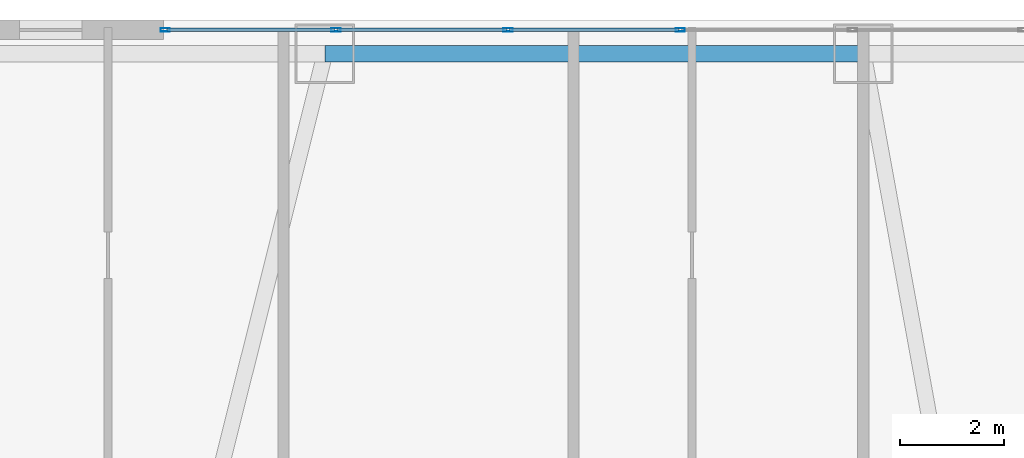
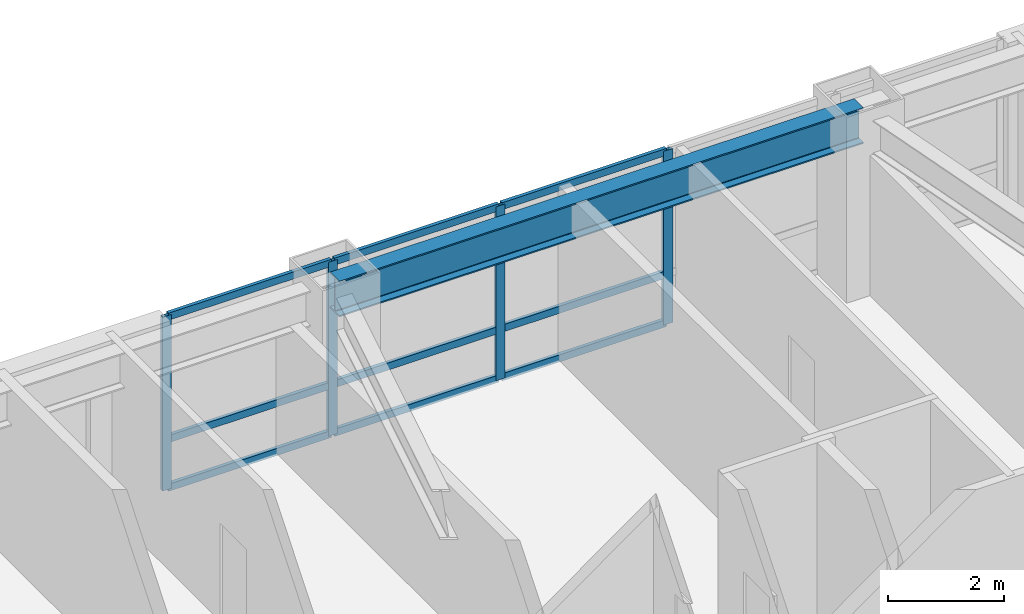
# One storey, part 16 of 28: 13 members, 1 beam, 1 element without a shape of its own.
"""IFC4 building model written with IfcOpenShell, lengths in metres."""

from ifc_helpers import new_model, si_unit, direction, frame, origin, origin_2d, place, context, subcontext, project, spatial, hollow_rectangle, i_section, extrude, material, layer, layer_set, material_profile, profile_set, type_object, element, aggregate, save


model = new_model("IFC4")

# Units and contexts
model_context = context("Model", 3, precision=1e-05, world=origin(), true_north=direction((0.0, 1.0)))
body_context = subcontext(model_context, "Body", "Model", "MODEL_VIEW")
ifc_project = project(units=[si_unit("LENGTHUNIT", "METRE"), si_unit("AREAUNIT", "SQUARE_METRE"), si_unit("VOLUMEUNIT", "CUBIC_METRE"), si_unit("PLANEANGLEUNIT", "RADIAN"), si_unit("MASSUNIT", "GRAM", prefix="KILO")], contexts=[model_context])

# Site, building, storey
site_placement = place(None, origin())
site = spatial("IfcSite", under=ifc_project, at=site_placement, CompositionType="ELEMENT")
building_placement = place(site_placement, origin())
building = spatial("IfcBuilding", under=site, at=building_placement, Name="Voryun Gate Residences", CompositionType="ELEMENT")
storey_placement = place(building_placement, frame((0.0, 0.0, 61.10009765625)))
storey = spatial("IfcBuildingStorey", under=building, at=storey_placement, Name="L14", CompositionType="ELEMENT", Elevation=61.10009765625)

# Beam
ifc_material_1 = material(Name="Steel SM355", Category="steel")
ifc_material_profile_1 = material_profile(ifc_material_1, i_section(OverallWidth=0.320068359375, OverallDepth=0.75, WebThickness=0.01611328125, FlangeThickness=0.028076171875, FilletRadius=0.01806640625, at=origin_2d()), Name="H-750x320x16x28")
ifc_profile_set_1 = profile_set([ifc_material_profile_1], Name="Steel SM355")
beam_type = type_object("IfcBeamType", Name="BM_EXO_SPANDREL_L", PredefinedType="SPANDREL", material=ifc_profile_set_1)
beam_placement = place(storey_placement, frame((1.60009765625, 21.75, 3.27490234375), z_axis=(-1.0, 0.0, 0.0), x_axis=(0.0, -1.0, 0.0)))
element("IfcBeam", 1, at=beam_placement, inside=storey, type_object=beam_type, Name="BM-L14-SPAND-13", PredefinedType="SPANDREL", context=body_context, shape_type="SweptSolid", body=[
    extrude(i_section(OverallWidth=0.320068359375, OverallDepth=0.75, WebThickness=0.01611328125, FlangeThickness=0.028076171875, FilletRadius=0.01806640625, at=origin_2d()), origin(), (0.0, 0.0, 1.0), 10.400146484375),
])

# Curtain wall, members
ifc_material_2 = material(Name="Anodised aluminium", Category="aluminium")
ifc_layer = layer(ifc_material_2, 0.179931640625, Name="CW_SYS_RES_A_DARK_GLASS")
ifc_layer_set = layer_set([ifc_layer], Name="Anodised aluminium")
curtain_wall_type = type_object("IfcCurtainWallType", Name="CW_SYS_RES_A_DARK_GLASS", PredefinedType="NOTDEFINED", material=ifc_layer_set)
curtain_wall_placement = place(storey_placement, origin())
curtain_wall = element("IfcCurtainWall", 2, at=curtain_wall_placement, inside=storey, type_object=curtain_wall_type, Name="Curtain wall CWT-L14-11", PredefinedType="NOTDEFINED")
ifc_material_3 = material(Name="Anodised aluminium", Category="aluminium")
ifc_material_profile_2 = material_profile(ifc_material_3, hollow_rectangle(XDim=0.070068359375, YDim=0.179931640625, WallThickness=0.00390625, at=origin_2d()), Name="ALU-MULL-180x70x4")
ifc_profile_set_2 = profile_set([ifc_material_profile_2], Name="Anodised aluminium")
member_type_1 = type_object("IfcMemberType", Name="CW_MULL_RES", PredefinedType="MULLION", material=ifc_profile_set_2)
member_1_placement = place(storey_placement, frame((-11.884033203125, 22.2099609375, 0.0), z_axis=(0.0, 0.0, 1.0), x_axis=(0.0, 1.0, 0.0)))
member_1 = element("IfcMember", 3, at=member_1_placement, type_object=member_type_1, Name="CW3 mullion 1", PredefinedType="MULLION", context=body_context, shape_type="SweptSolid", body=[
    extrude(hollow_rectangle(XDim=0.070068359375, YDim=0.179931640625, WallThickness=0.00390625, at=origin_2d()), origin(), (0.0, 0.0, 1.0), 3.64990234375),
])
member_2_placement = place(storey_placement, frame((-8.58837890625, 22.2099609375, 0.0), z_axis=(0.0, 0.0, 1.0), x_axis=(0.0, 1.0, 0.0)))
member_2 = element("IfcMember", 4, at=member_2_placement, type_object=member_type_1, Name="CW3 mullion 2", PredefinedType="MULLION", context=body_context, shape_type="SweptSolid", body=[
    extrude(hollow_rectangle(XDim=0.070068359375, YDim=0.179931640625, WallThickness=0.00390625, at=origin_2d()), origin(), (0.0, 0.0, 1.0), 3.64990234375),
])
member_3_placement = place(storey_placement, frame((-5.2626953125, 22.2099609375, 0.0), z_axis=(0.0, 0.0, 1.0), x_axis=(0.0, 1.0, 0.0)))
member_3 = element("IfcMember", 5, at=member_3_placement, type_object=member_type_1, Name="CW3 mullion 3", PredefinedType="MULLION", context=body_context, shape_type="SweptSolid", body=[
    extrude(hollow_rectangle(XDim=0.070068359375, YDim=0.179931640625, WallThickness=0.00390625, at=origin_2d()), origin(), (0.0, 0.0, 1.0), 3.64990234375),
])
member_4_placement = place(storey_placement, frame((-1.937255859375, 22.2099609375, 0.0), z_axis=(0.0, 0.0, 1.0), x_axis=(0.0, 1.0, 0.0)))
member_4 = element("IfcMember", 6, at=member_4_placement, type_object=member_type_1, Name="CW3 mullion 4", PredefinedType="MULLION", context=body_context, shape_type="SweptSolid", body=[
    extrude(hollow_rectangle(XDim=0.070068359375, YDim=0.179931640625, WallThickness=0.00390625, at=origin_2d()), origin(), (0.0, 0.0, 1.0), 3.64990234375),
])
ifc_material_4 = material(Name="Anodised aluminium", Category="aluminium")
ifc_material_profile_3 = material_profile(ifc_material_4, hollow_rectangle(XDim=0.070068359375, YDim=0.14990234375, WallThickness=0.00390625, at=origin_2d()), Name="ALU-TRAN-150x70x4")
ifc_profile_set_3 = profile_set([ifc_material_profile_3], Name="Anodised aluminium")
member_type_2 = type_object("IfcMemberType", Name="CW_TRAN_RES", PredefinedType="USERDEFINED", material=ifc_profile_set_3)
member_5_placement = place(storey_placement, frame((-11.85400390625, 22.2099609375, 0.02978515625), z_axis=(1.0, 0.0, 0.0), x_axis=(0.0, 1.0, 0.0)))
member_5 = element("IfcMember", 7, at=member_5_placement, type_object=member_type_2, Name="CW3 transom 1.1", ObjectType="TRANSOM", PredefinedType="USERDEFINED", context=body_context, shape_type="SweptSolid", body=[
    extrude(hollow_rectangle(XDim=0.070068359375, YDim=0.14990234375, WallThickness=0.00390625, at=origin_2d()), origin(), (0.0, 0.0, 1.0), 3.235595703125),
])
member_6_placement = place(storey_placement, frame((-11.85400390625, 22.2099609375, 1.0498046875), z_axis=(1.0, 0.0, 0.0), x_axis=(0.0, 1.0, 0.0)))
member_6 = element("IfcMember", 8, at=member_6_placement, type_object=member_type_2, Name="CW3 transom 1.2", ObjectType="TRANSOM", PredefinedType="USERDEFINED", context=body_context, shape_type="SweptSolid", body=[
    extrude(hollow_rectangle(XDim=0.070068359375, YDim=0.14990234375, WallThickness=0.00390625, at=origin_2d()), origin(), (0.0, 0.0, 1.0), 3.235595703125),
])
member_7_placement = place(storey_placement, frame((-11.85400390625, 22.2099609375, 3.619873046875), z_axis=(1.0, 0.0, 0.0), x_axis=(0.0, 1.0, 0.0)))
member_7 = element("IfcMember", 9, at=member_7_placement, type_object=member_type_2, Name="CW3 transom 1.3", ObjectType="TRANSOM", PredefinedType="USERDEFINED", context=body_context, shape_type="SweptSolid", body=[
    extrude(hollow_rectangle(XDim=0.070068359375, YDim=0.14990234375, WallThickness=0.00390625, at=origin_2d()), origin(), (0.0, 0.0, 1.0), 3.235595703125),
])
member_8_placement = place(storey_placement, frame((-8.558349609375, 22.2099609375, 0.02978515625), z_axis=(1.0, 0.0, 0.0), x_axis=(0.0, 1.0, 0.0)))
member_8 = element("IfcMember", 10, at=member_8_placement, type_object=member_type_2, Name="CW3 transom 2.1", ObjectType="TRANSOM", PredefinedType="USERDEFINED", context=body_context, shape_type="SweptSolid", body=[
    extrude(hollow_rectangle(XDim=0.070068359375, YDim=0.14990234375, WallThickness=0.00390625, at=origin_2d()), origin(), (0.0, 0.0, 1.0), 3.265625),
])
member_9_placement = place(storey_placement, frame((-8.558349609375, 22.2099609375, 1.0498046875), z_axis=(1.0, 0.0, 0.0), x_axis=(0.0, 1.0, 0.0)))
member_9 = element("IfcMember", 11, at=member_9_placement, type_object=member_type_2, Name="CW3 transom 2.2", ObjectType="TRANSOM", PredefinedType="USERDEFINED", context=body_context, shape_type="SweptSolid", body=[
    extrude(hollow_rectangle(XDim=0.070068359375, YDim=0.14990234375, WallThickness=0.00390625, at=origin_2d()), origin(), (0.0, 0.0, 1.0), 3.265625),
])
member_10_placement = place(storey_placement, frame((-8.558349609375, 22.2099609375, 3.619873046875), z_axis=(1.0, 0.0, 0.0), x_axis=(0.0, 1.0, 0.0)))
member_10 = element("IfcMember", 12, at=member_10_placement, type_object=member_type_2, Name="CW3 transom 2.3", ObjectType="TRANSOM", PredefinedType="USERDEFINED", context=body_context, shape_type="SweptSolid", body=[
    extrude(hollow_rectangle(XDim=0.070068359375, YDim=0.14990234375, WallThickness=0.00390625, at=origin_2d()), origin(), (0.0, 0.0, 1.0), 3.265625),
])
member_11_placement = place(storey_placement, frame((-5.23291015625, 22.2099609375, 0.02978515625), z_axis=(1.0, 0.0, 0.0), x_axis=(0.0, 1.0, 0.0)))
member_11 = element("IfcMember", 13, at=member_11_placement, type_object=member_type_2, Name="CW3 transom 3.1", ObjectType="TRANSOM", PredefinedType="USERDEFINED", context=body_context, shape_type="SweptSolid", body=[
    extrude(hollow_rectangle(XDim=0.070068359375, YDim=0.14990234375, WallThickness=0.00390625, at=origin_2d()), origin(), (0.0, 0.0, 1.0), 3.265625),
])
member_12_placement = place(storey_placement, frame((-5.23291015625, 22.2099609375, 1.0498046875), z_axis=(1.0, 0.0, 0.0), x_axis=(0.0, 1.0, 0.0)))
member_12 = element("IfcMember", 14, at=member_12_placement, type_object=member_type_2, Name="CW3 transom 3.2", ObjectType="TRANSOM", PredefinedType="USERDEFINED", context=body_context, shape_type="SweptSolid", body=[
    extrude(hollow_rectangle(XDim=0.070068359375, YDim=0.14990234375, WallThickness=0.00390625, at=origin_2d()), origin(), (0.0, 0.0, 1.0), 3.265625),
])
member_13_placement = place(storey_placement, frame((-5.23291015625, 22.2099609375, 3.619873046875), z_axis=(1.0, 0.0, 0.0), x_axis=(0.0, 1.0, 0.0)))
member_13 = element("IfcMember", 15, at=member_13_placement, type_object=member_type_2, Name="CW3 transom 3.3", ObjectType="TRANSOM", PredefinedType="USERDEFINED", context=body_context, shape_type="SweptSolid", body=[
    extrude(hollow_rectangle(XDim=0.070068359375, YDim=0.14990234375, WallThickness=0.00390625, at=origin_2d()), origin(), (0.0, 0.0, 1.0), 3.265625),
])
aggregate(curtain_wall, [member_1, member_2, member_3, member_4, member_5, member_6, member_7, member_8, member_9, member_10, member_11, member_12, member_13])

save(model, "model.ifc")
